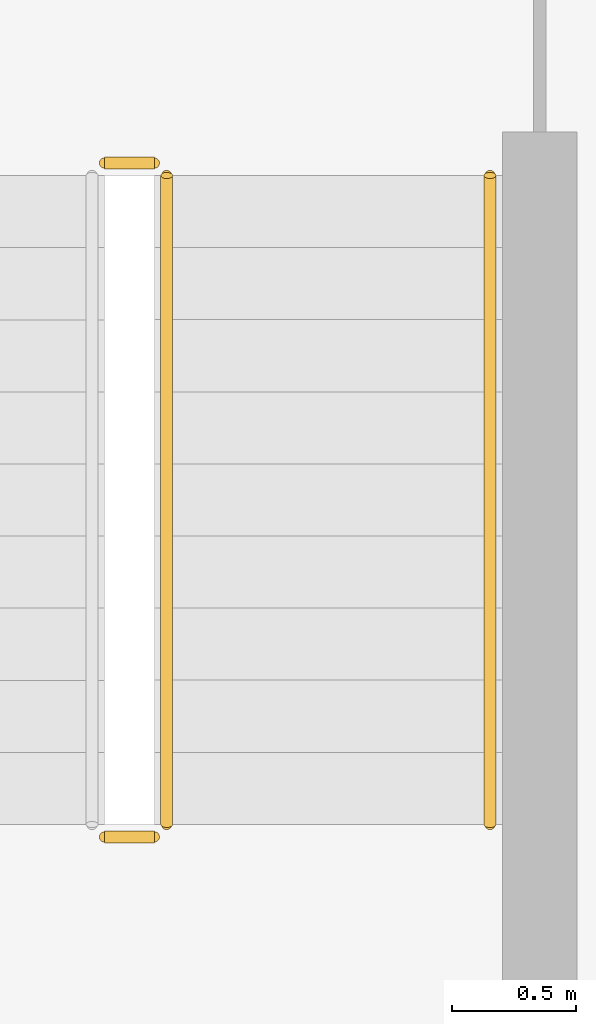
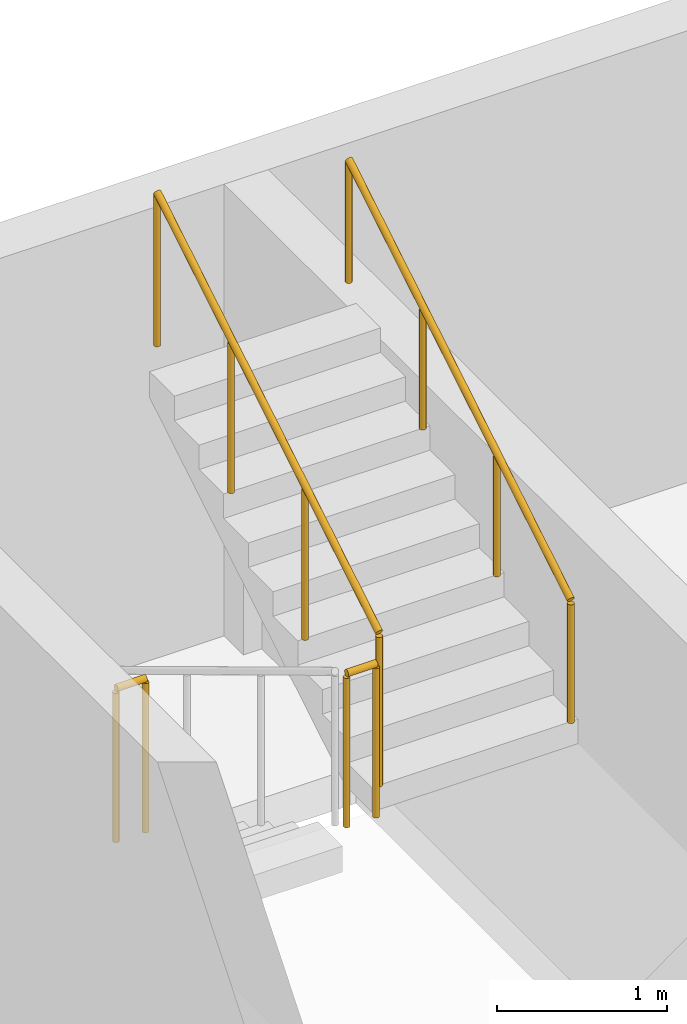
# One storey, part 65 of 73: 4 railings.
"""IFC4 building model written with IfcOpenShell, lengths in metres."""

from ifc_helpers import new_model, si_unit, derived_unit, direction, frame, origin, origin_2d, place, context, subcontext, project, spatial, circle, extrude, material, type_object, element, save


model = new_model("IFC4")

# Units and contexts
model_context = context("Model", 3, precision=1e-05, world=origin(), true_north=direction((0.0, 1.0)))
body_context = subcontext(model_context, "Body", "Model", "MODEL_VIEW")
ifc_project = project(units=[si_unit("LENGTHUNIT", "METRE"), si_unit("AREAUNIT", "SQUARE_METRE"), si_unit("VOLUMEUNIT", "CUBIC_METRE"), si_unit("PLANEANGLEUNIT", "RADIAN"), si_unit("MASSUNIT", "GRAM", prefix="KILO"), derived_unit("THERMALTRANSMITTANCEUNIT", [(si_unit("MASSUNIT", "GRAM", prefix="KILO"), 1), (si_unit("TIMEUNIT", "SECOND"), -3), (si_unit("THERMODYNAMICTEMPERATUREUNIT", "KELVIN"), -1)])], contexts=[model_context])

# Site, building, storey
site_placement = place(None, origin())
site = spatial("IfcSite", under=ifc_project, at=site_placement, CompositionType="ELEMENT")
building_placement = place(site_placement, origin())
building = spatial("IfcBuilding", under=site, at=building_placement, Name="Ochrekiln Boulevard Commons", CompositionType="ELEMENT")
storey_placement = place(building_placement, frame((0.0, 0.0, 8.574951171875)))
storey = spatial("IfcBuildingStorey", under=building, at=storey_placement, Name="L02", CompositionType="ELEMENT", Elevation=8.574951171875)

# Railings
ifc_material = material(Name="Brushed stainless steel 316 tubular railing", Category="steel")
railing_type_1 = type_object("IfcRailingType", Name="RLG-HDR-900", PredefinedType="HANDRAIL", material=ifc_material)
railing_1_placement = place(storey_placement, frame((9.35009765625, 114.320068359375, 1.925048828125)))
element("IfcRailing", 1, at=railing_1_placement, inside=storey, type_object=railing_type_1, Name="L02 ST-A2 stair handrail 2", PredefinedType="HANDRAIL", context=body_context, shape_type="SweptSolid", body=[
    extrude(circle(Radius=0.02392578125, at=origin_2d()), frame((0.0, 0.0, 0.8759765625), z_axis=(0.0, 0.85618277418, 0.516673066065), x_axis=(-1.0, 0.0, 0.0)), (0.0, 0.0, 1.0), 3.04833984375),
    extrude(circle(Radius=0.02099609375, at=origin_2d()), origin(), (0.0, 0.0, 1.0), 0.851806640625),
    extrude(circle(Radius=0.02099609375, at=origin_2d()), frame((0.0, 0.869873046875, 0.52490234375)), (0.0, 0.0, 1.0), 0.851806640625),
    extrude(circle(Radius=0.02099609375, at=origin_2d()), frame((0.0, 1.739990234375, 1.050048828125)), (0.0, 0.0, 1.0), 0.851806640625),
    extrude(circle(Radius=0.02099609375, at=origin_2d()), frame((0.0, 2.60986328125, 1.574951171875)), (0.0, 0.0, 1.0), 0.851806640625),
])
railing_type_2 = type_object("IfcRailingType", Name="RLG-STR-1120", PredefinedType="BALUSTRADE", material=ifc_material)
railing_2_placement = place(storey_placement, frame((7.800048828125, 114.27001953125, 1.75)))
element("IfcRailing", 2, at=railing_2_placement, inside=storey, type_object=railing_type_2, Name="L02 ST-A2 stair guard 2", PredefinedType="BALUSTRADE", context=body_context, shape_type="SweptSolid", body=[
    extrude(circle(Radius=0.02392578125, at=origin_2d()), frame((0.0, 0.0, 1.09619140625), z_axis=(1.0, 0.0, 0.0), x_axis=(0.0, 1.0, 0.0)), (0.0, 0.0, 1.0), 0.199951171875),
    extrude(circle(Radius=0.02099609375, at=origin_2d()), origin(), (0.0, 0.0, 1.0), 1.072021484375),
    extrude(circle(Radius=0.02099609375, at=origin_2d()), frame((0.199951171875, 0.0, 0.0)), (0.0, 0.0, 1.0), 1.072021484375),
])
railing_3_placement = place(storey_placement, frame((8.050048828125, 114.320068359375, 1.925048828125)))
element("IfcRailing", 3, at=railing_3_placement, inside=storey, type_object=railing_type_2, Name="L02 ST-A2 stair guard 3", PredefinedType="BALUSTRADE", context=body_context, shape_type="SweptSolid", body=[
    extrude(circle(Radius=0.02392578125, at=origin_2d()), frame((0.0, 0.0, 1.09619140625), z_axis=(0.0, 0.85618277418, 0.516673066065), x_axis=(-1.0, 0.0, 0.0)), (0.0, 0.0, 1.0), 3.04833984375),
    extrude(circle(Radius=0.02099609375, at=origin_2d()), origin(), (0.0, 0.0, 1.0), 1.072021484375),
    extrude(circle(Radius=0.02099609375, at=origin_2d()), frame((0.0, 0.869873046875, 0.52490234375)), (0.0, 0.0, 1.0), 1.072021484375),
    extrude(circle(Radius=0.02099609375, at=origin_2d()), frame((0.0, 1.739990234375, 1.050048828125)), (0.0, 0.0, 1.0), 1.072021484375),
    extrude(circle(Radius=0.02099609375, at=origin_2d()), frame((0.0, 2.60986328125, 1.574951171875)), (0.0, 0.0, 1.0), 1.072021484375),
])
railing_4_placement = place(storey_placement, frame((7.800048828125, 116.97998046875, 0.0)))
element("IfcRailing", 4, at=railing_4_placement, inside=storey, type_object=railing_type_2, Name="L02 ST-A2 stair guard 4", PredefinedType="BALUSTRADE", context=body_context, shape_type="SweptSolid", body=[
    extrude(circle(Radius=0.02392578125, at=origin_2d()), frame((0.0, 0.0, 1.09619140625), z_axis=(1.0, 0.0, 0.0), x_axis=(0.0, 1.0, 0.0)), (0.0, 0.0, 1.0), 0.199951171875),
    extrude(circle(Radius=0.02099609375, at=origin_2d()), origin(), (0.0, 0.0, 1.0), 1.072021484375),
    extrude(circle(Radius=0.02099609375, at=origin_2d()), frame((0.199951171875, 0.0, 0.0)), (0.0, 0.0, 1.0), 1.072021484375),
])

save(model, "model.ifc")
